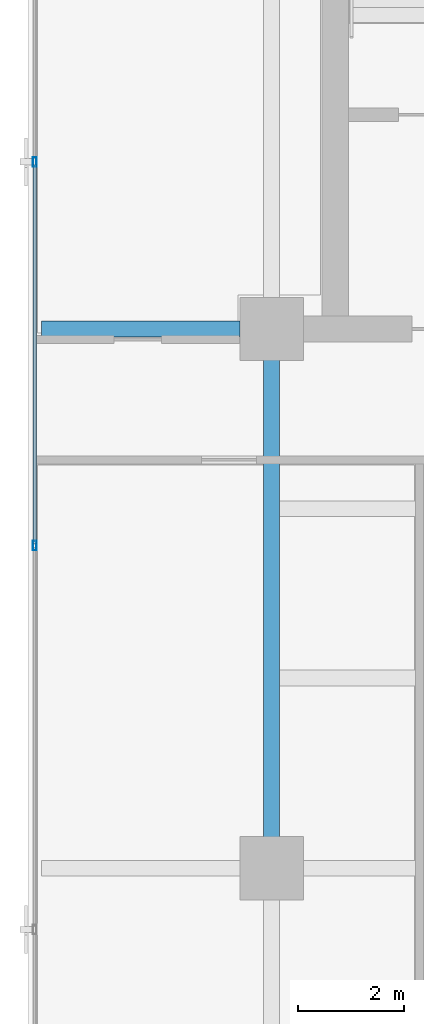
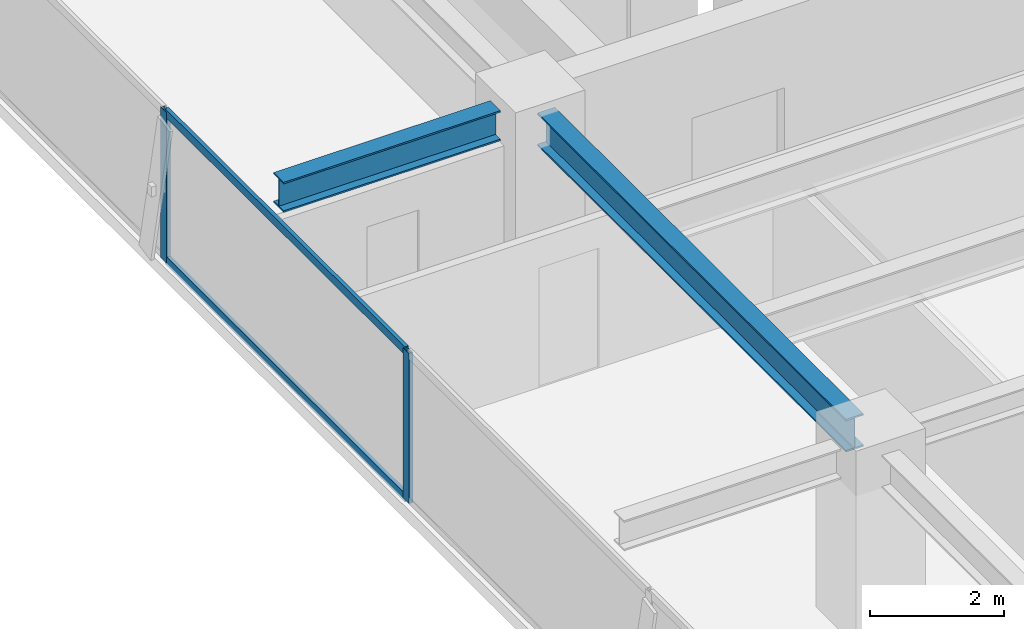
# One storey, part 6 of 22: 4 members, 2 beams, 1 element without a shape of its own.
"""IFC4 building model written with IfcOpenShell, lengths in metres."""

import ifcopenshell
import ifcopenshell.guid

model = None  # the IFC model being written
_history = None  # IfcOwnerHistory: only IFC2X3 demands one
_inside = {}  # id of a spatial element -> (the spatial element, [elements in it])
_under = {}  # id of a project, library or spatial element -> (it, [spatial elements below it])
_declared = {}  # id of a project -> (the project, [libraries it declares])
_typed = {}  # id of a type object -> (the type object, [elements of that type])
_made_of = {}  # id of a material, layer set ... -> (it, [elements and type objects made of it])


def new_model(schema):
    """Start an empty IFC model of exactly this schema.

    Asked for "IFC4X3", IfcOpenShell would pick the latest addendum, in which some entities
    have other attributes; the version numbers below select the first issue.
    IFC2X3 requires an IfcOwnerHistory on every rooted entity: one is made here for all.
    """
    global model, _history
    if schema == "IFC4X3":
        model = ifcopenshell.file(schema_version=(4, 3, 0, 0))
    else:
        model = ifcopenshell.file(schema=schema)
    _inside.clear()
    _under.clear()
    _declared.clear()
    _typed.clear()
    _made_of.clear()
    _history = None
    if model.schema == "IFC2X3":
        org = make("IfcOrganization", Name="unknown")
        user = make(
            "IfcPersonAndOrganization",
            ThePerson=make("IfcPerson", FamilyName="unknown"),
            TheOrganization=org,
        )
        app = make(
            "IfcApplication",
            ApplicationDeveloper=org,
            Version="unknown",
            ApplicationFullName="unknown",
            ApplicationIdentifier="unknown",
        )
        _history = make(
            "IfcOwnerHistory",
            OwningUser=user,
            OwningApplication=app,
            ChangeAction="ADDED",
            CreationDate=0,
        )
    return model


def make(cls, **values):
    """One entity of the class cls with the attributes given. An attribute that is None is left unset."""
    return model.create_entity(
        cls, **{name: value for name, value in values.items() if value is not None}
    )


def rooted(cls, **values):
    """An entity with a GlobalId (a new one), such as an element, a storey or a relation."""
    return make(cls, GlobalId=ifcopenshell.guid.new(), OwnerHistory=_history, **values)


def si_unit(unit_type, name, prefix=None):
    """IfcSIUnit, for example si_unit("LENGTHUNIT", "METRE", prefix="MILLI")."""
    return make("IfcSIUnit", UnitType=unit_type, Prefix=prefix, Name=name)


def assignment(units):
    """IfcUnitAssignment: the units of a project."""
    return None if units is None else make("IfcUnitAssignment", Units=units)


def point(xyz):
    """IfcCartesianPoint."""
    return None if xyz is None else make("IfcCartesianPoint", Coordinates=xyz)


def direction(xyz):
    """IfcDirection."""
    return None if xyz is None else make("IfcDirection", DirectionRatios=xyz)


def frame(location, z_axis=None, x_axis=None):
    """IfcAxis2Placement3D, a coordinate frame: its origin and axes. An axis left out is left unset."""
    return make(
        "IfcAxis2Placement3D",
        Location=point(location),
        Axis=direction(z_axis),
        RefDirection=direction(x_axis),
    )


def frame_2d(location, x_axis=None):
    """IfcAxis2Placement2D, a coordinate frame in the plane: its origin and x axis."""
    return make(
        "IfcAxis2Placement2D", Location=point(location), RefDirection=direction(x_axis)
    )


def origin():
    """The frame at (0, 0, 0) with its axes left unset."""
    return frame((0.0, 0.0, 0.0))


def origin_2d():
    """The frame at (0, 0) in the plane with its x axis left unset."""
    return frame_2d((0.0, 0.0))


def place(relative_to, where):
    """IfcLocalPlacement: puts the frame where relative to a parent placement (None: the world)."""
    return make(
        "IfcLocalPlacement", PlacementRelTo=relative_to, RelativePlacement=where
    )


def context(
    kind, dimensions, precision=None, world=None, true_north=None, identifier=None
):
    """IfcGeometricRepresentationContext, for example the 3D "Model" context."""
    return make(
        "IfcGeometricRepresentationContext",
        ContextIdentifier=identifier,
        ContextType=kind,
        CoordinateSpaceDimension=dimensions,
        Precision=precision,
        WorldCoordinateSystem=world,
        TrueNorth=true_north,
    )


def subcontext(parent, identifier, kind, view, scale=None):
    """IfcGeometricRepresentationSubContext, for example "Body" below "Model"."""
    return make(
        "IfcGeometricRepresentationSubContext",
        ContextIdentifier=identifier,
        ContextType=kind,
        ParentContext=parent,
        TargetScale=scale,
        TargetView=view,
    )


def project(units=None, contexts=None):
    """IfcProject with its units and contexts."""
    return rooted(
        "IfcProject",
        Name="project",
        RepresentationContexts=contexts,
        UnitsInContext=assignment(units),
    )


def spatial(cls, under=None, at=None, **own):
    """A site, building, storey or space (cls), placed at a placement, below another one or the project."""
    s = rooted(cls, ObjectPlacement=at, **own)
    if under is not None:
        _under.setdefault(under.id(), (under, []))[1].append(s)
    return s


def profile(cls, at=None, kind="AREA", **sizes):
    """A parametric profile (cls). Its sizes go by their IFC names, for example OverallWidth=200.0."""
    return make(cls, ProfileType=kind, Position=at, **sizes)


def hollow_rectangle(**sizes):
    """IfcRectangleHollowProfileDef."""
    return profile("IfcRectangleHollowProfileDef", **sizes)


def i_section(**sizes):
    """IfcIShapeProfileDef."""
    return profile("IfcIShapeProfileDef", **sizes)


def extrude(swept, where, along, depth):
    """IfcExtrudedAreaSolid: the profile swept, set in the frame where, extruded along a direction by depth."""
    return make(
        "IfcExtrudedAreaSolid",
        SweptArea=swept,
        Position=where,
        ExtrudedDirection=direction(along),
        Depth=depth,
    )


def shape(context_of_items, identifier, shape_type, items):
    """IfcShapeRepresentation: the items that make up one representation, for example the "Body"."""
    return make(
        "IfcShapeRepresentation",
        ContextOfItems=context_of_items,
        RepresentationIdentifier=identifier,
        RepresentationType=shape_type,
        Items=items,
    )


def source(mapping_origin, context_of_items, identifier, shape_type, items):
    """IfcRepresentationMap: a shape defined once, which mapped items show again and again."""
    return make(
        "IfcRepresentationMap",
        MappingOrigin=mapping_origin,
        MappedRepresentation=shape(context_of_items, identifier, shape_type, items),
    )


def transform(
    local_origin,
    x_axis=None,
    y_axis=None,
    z_axis=None,
    scale=None,
    scale2=None,
    scale3=None,
    uniform=True,
):
    """IfcCartesianTransformationOperator3D, or its non-uniform kind. x_axis, y_axis, z_axis: its Axis1, 2, 3."""
    if uniform:
        return make(
            "IfcCartesianTransformationOperator3D",
            Axis1=direction(x_axis),
            Axis2=direction(y_axis),
            LocalOrigin=point(local_origin),
            Scale=scale,
            Axis3=direction(z_axis),
        )
    return make(
        "IfcCartesianTransformationOperator3DnonUniform",
        Axis1=direction(x_axis),
        Axis2=direction(y_axis),
        LocalOrigin=point(local_origin),
        Scale=scale,
        Axis3=direction(z_axis),
        Scale2=scale2,
        Scale3=scale3,
    )


def mapped(mapping_source, mapping_target):
    """IfcMappedItem: shows the shape of a source again, moved by a transform."""
    return make(
        "IfcMappedItem", MappingSource=mapping_source, MappingTarget=mapping_target
    )


def material(Name=None, Category=None):
    """IfcMaterial."""
    return make("IfcMaterial", Name=Name, Category=Category)


def layer(
    of_material, thickness, ventilated=None, Name=None, Category=None, Priority=None
):
    """IfcMaterialLayer: one layer of a wall or slab, of a material (None: an air gap)."""
    return make(
        "IfcMaterialLayer",
        Material=of_material,
        LayerThickness=thickness,
        IsVentilated=ventilated,
        Name=Name,
        Category=Category,
        Priority=Priority,
    )


def layer_set(layers, Name=None):
    """IfcMaterialLayerSet."""
    return make("IfcMaterialLayerSet", MaterialLayers=layers, LayerSetName=Name)


def material_profile(
    of_material, cross_section, Name=None, Category=None, Priority=None
):
    """IfcMaterialProfile: a cross section and its material."""
    return make(
        "IfcMaterialProfile",
        Name=Name,
        Material=of_material,
        Profile=cross_section,
        Priority=Priority,
        Category=Category,
    )


def profile_set(profiles, Name=None, composite=None):
    """IfcMaterialProfileSet."""
    return make(
        "IfcMaterialProfileSet",
        Name=Name,
        MaterialProfiles=profiles,
        CompositeProfile=composite,
    )


def made_of(thing, what):
    """Note that an element or type object is made of a material, layer set ...; save() writes the relation."""
    if what is not None:
        _made_of.setdefault(what.id(), (what, []))[1].append(thing)
    return thing


def type_object(cls, material=None, **own):
    """A type object (cls), such as IfcWallType, which elements share."""
    return made_of(rooted(cls, **own), material)


def element(
    cls,
    number,
    at=None,
    inside=None,
    cuts=None,
    type_object=None,
    material=None,
    context=None,
    identifier="Body",
    shape_type=None,
    held_by="IfcProductDefinitionShape",
    body=None,
    shapes=None,
    **own,
):
    """One element of the class cls, such as IfcWall. Its Tag is "e" and its number.

    at: its placement. inside: the storey or other place that contains it. cuts: it is an
    opening in that element (IfcRelVoidsElement). A single representation is given by context,
    identifier, shape_type and body (its items); several are given by shapes. held_by: the class
    of the entity that holds the representations. save() writes the other relations.
    """
    e = rooted(cls, Tag="e%d" % number, ObjectPlacement=at, **own)
    if body is not None:
        shapes = [shape(context, identifier, shape_type, body)]
    if shapes is not None:
        e.Representation = make(held_by, Representations=shapes)
    if inside is not None:
        _inside.setdefault(inside.id(), (inside, []))[1].append(e)
    if cuts is not None:
        rooted(
            "IfcRelVoidsElement", RelatingBuildingElement=cuts, RelatedOpeningElement=e
        )
    if type_object is not None:
        _typed.setdefault(type_object.id(), (type_object, []))[1].append(e)
    return made_of(e, material)


def aggregate(whole, parts):
    """IfcRelAggregates: a whole, such as a stair, and the parts it consists of."""
    return rooted("IfcRelAggregates", RelatingObject=whole, RelatedObjects=parts)


def save(model, path):
    """Write the relations noted so far, then the file.

    IfcRelAggregates (storeys below a building ...), IfcRelContainedInSpatialStructure (elements
    in a storey), IfcRelDefinesByType, IfcRelAssociatesMaterial and IfcRelDeclares: one each for
    every whole, place, type object, material and project.
    """
    for whole, parts in _under.values():
        aggregate(whole, parts)
    for where, things in _inside.values():
        rooted(
            "IfcRelContainedInSpatialStructure",
            RelatedElements=things,
            RelatingStructure=where,
        )
    for kind, things in _typed.values():
        rooted("IfcRelDefinesByType", RelatedObjects=things, RelatingType=kind)
    for what, things in _made_of.values():
        rooted("IfcRelAssociatesMaterial", RelatedObjects=things, RelatingMaterial=what)
    for by, libraries in _declared.values():
        rooted("IfcRelDeclares", RelatingContext=by, RelatedDefinitions=libraries)
    model.write(path)


model = new_model("IFC4")

# Units and contexts
model_context = context("Model", 3, precision=1e-05, world=origin(), true_north=direction((0.0, 1.0)))
body_context = subcontext(model_context, "Body", "Model", "MODEL_VIEW")
ifc_project = project(units=[si_unit("LENGTHUNIT", "METRE"), si_unit("AREAUNIT", "SQUARE_METRE"), si_unit("VOLUMEUNIT", "CUBIC_METRE"), si_unit("PLANEANGLEUNIT", "RADIAN"), si_unit("MASSUNIT", "GRAM", prefix="KILO")], contexts=[model_context])

# Site, building, storey
site_placement = place(None, origin())
site = spatial("IfcSite", under=ifc_project, at=site_placement, CompositionType="ELEMENT")
building_placement = place(site_placement, origin())
building = spatial("IfcBuilding", under=site, at=building_placement, Name="Sumidabori Civic Tower", CompositionType="ELEMENT")
storey_placement = place(building_placement, frame((0.0, 0.0, 279.199951171875)))
storey = spatial("IfcBuildingStorey", under=building, at=storey_placement, Name="L73", CompositionType="ELEMENT", Elevation=279.199951171875)

# Beams
ifc_material_1 = material(Name="Steel SN490", Category="steel")
ifc_material_profile_1 = material_profile(ifc_material_1, i_section(OverallWidth=0.300048828125, OverallDepth=0.60009765625, WebThickness=0.015380859375, FlangeThickness=0.030029296875, at=origin_2d()), Name="HE 600 B")
ifc_profile_set_1 = profile_set([ifc_material_profile_1], Name="Steel SN490")
beam_type_1 = type_object("IfcBeamType", Name="BM-GIRD-600", PredefinedType="BEAM", material=ifc_profile_set_1)
shared_shape_1 = source(origin(), body_context, "Body", "SweptSolid", [
    extrude(i_section(OverallWidth=0.300048828125, OverallDepth=0.60009765625, WebThickness=0.015380859375, FlangeThickness=0.030029296875, at=origin_2d()), origin(), (0.0, 0.0, 1.0), 9.239990234375),
])
beam_1_placement = place(storey_placement, frame((-16.800048828125, 0.47998046875, 3.070068359375), z_axis=(0.0, 1.0, 0.0), x_axis=(-1.0, 0.0, 0.0)))
element("IfcBeam", 1, at=beam_1_placement, inside=storey, type_object=beam_type_1, Name="Primary Girder L73 GY-10", PredefinedType="BEAM", context=body_context, shape_type="MappedRepresentation", body=[
    mapped(shared_shape_1, transform((0.0, 0.0, 0.0), x_axis=(1.0, 0.0, 0.0), y_axis=(0.0, 1.0, 0.0), z_axis=(0.0, 0.0, 1.0), scale=1.0)),
])
ifc_material_profile_2 = material_profile(ifc_material_1, i_section(OverallWidth=0.300048828125, OverallDepth=0.550048828125, WebThickness=0.014892578125, FlangeThickness=0.029052734375, at=origin_2d()), Name="HE 550 B")
ifc_profile_set_2 = profile_set([ifc_material_profile_2], Name="Steel SN490")
beam_type_2 = type_object("IfcBeamType", Name="BM-Z4-EDGE", PredefinedType="SPANDREL", material=ifc_profile_set_2)
shared_shape_2 = source(origin(), body_context, "Body", "SweptSolid", [
    extrude(i_section(OverallWidth=0.300048828125, OverallDepth=0.550048828125, WebThickness=0.014892578125, FlangeThickness=0.029052734375, at=origin_2d()), origin(), (0.0, 0.0, 1.0), 3.75),
])
beam_2_placement = place(storey_placement, frame((-21.14990234375, 10.199951171875, 3.094970703125), z_axis=(1.0, 0.0, 0.0), x_axis=(0.0, 1.0, 0.0)))
element("IfcBeam", 2, at=beam_2_placement, inside=storey, type_object=beam_type_2, Name="Perimeter Overhang Beam L73 W-21", PredefinedType="SPANDREL", context=body_context, shape_type="MappedRepresentation", body=[
    mapped(shared_shape_2, transform((0.0, 0.0, 0.0), x_axis=(1.0, 0.0, 0.0), y_axis=(0.0, 1.0, 0.0), z_axis=(0.0, 0.0, 1.0), scale=1.0)),
])

# Curtain wall, members
ifc_material_2 = material(Name="Anodised Bronze Aluminium AW-6063-T6", Category="aluminium")
ifc_layer = layer(ifc_material_2, 0.179931640625, Name="Anodised Bronze Aluminium AW-6063-T6")
ifc_layer_set = layer_set([ifc_layer], Name="Anodised Bronze Aluminium AW-6063-T6")
curtain_wall_type = type_object("IfcCurtainWallType", Name="CW-SYS-6", PredefinedType="NOTDEFINED", material=ifc_layer_set)
curtain_wall_placement = place(storey_placement, origin())
curtain_wall = element("IfcCurtainWall", 3, at=curtain_wall_placement, inside=storey, type_object=curtain_wall_type, Name="Curtain Wall CW:L73:R10", PredefinedType="NOTDEFINED")
ifc_material_profile_3 = material_profile(ifc_material_2, hollow_rectangle(XDim=0.070068359375, YDim=0.179931640625, WallThickness=0.006103515625, at=origin_2d()), Name="ALU MULLION 180x70")
ifc_profile_set_3 = profile_set([ifc_material_profile_3], Name="Anodised Bronze Aluminium AW-6063-T6")
member_type_1 = type_object("IfcMemberType", Name="CW-MUL-180", PredefinedType="MULLION", material=ifc_profile_set_3)
shared_shape_3 = source(origin(), body_context, "Body", "SweptSolid", [
    extrude(hollow_rectangle(XDim=0.070068359375, YDim=0.179931640625, WallThickness=0.006103515625, at=origin_2d()), origin(), (0.0, 0.0, 1.0), 2.75),
])
member_1_placement = place(storey_placement, frame((-21.280029296875, 13.360107421875, 0.0), z_axis=(0.0, 0.0, 1.0), x_axis=(1.0, 0.0, 0.0)))
member_1 = element("IfcMember", 4, at=member_1_placement, type_object=member_type_1, Name="CW-6 mullion 2", PredefinedType="MULLION", context=body_context, shape_type="MappedRepresentation", body=[
    mapped(shared_shape_3, transform((0.0, 0.0, 0.0), x_axis=(1.0, 0.0, 0.0), y_axis=(0.0, 1.0, 0.0), z_axis=(0.0, 0.0, 1.0), scale=1.0)),
])
member_2_placement = place(storey_placement, frame((-21.280029296875, 6.10009765625, 0.0), z_axis=(0.0, 0.0, 1.0), x_axis=(1.0, 0.0, 0.0)))
member_2 = element("IfcMember", 5, at=member_2_placement, type_object=member_type_1, Name="CW-6 mullion 3", PredefinedType="MULLION", context=body_context, shape_type="MappedRepresentation", body=[
    mapped(shared_shape_3, transform((0.0, 0.0, 0.0), x_axis=(1.0, 0.0, 0.0), y_axis=(0.0, 1.0, 0.0), z_axis=(0.0, 0.0, 1.0), scale=1.0)),
])
ifc_material_profile_4 = material_profile(ifc_material_2, hollow_rectangle(XDim=0.06494140625, YDim=0.14990234375, WallThickness=0.0048828125, at=origin_2d()), Name="ALU TRANSOM 150x65")
ifc_profile_set_4 = profile_set([ifc_material_profile_4], Name="Anodised Bronze Aluminium AW-6063-T6")
member_type_2 = type_object("IfcMemberType", Name="CW-TRN-150", PredefinedType="USERDEFINED", material=ifc_profile_set_4)
shared_shape_4 = source(origin(), body_context, "Body", "SweptSolid", [
    extrude(hollow_rectangle(XDim=0.06494140625, YDim=0.14990234375, WallThickness=0.0048828125, at=origin_2d()), origin(), (0.0, 0.0, 1.0), 7.18994140625),
])
member_3_placement = place(storey_placement, frame((-21.280029296875, 13.324951171875, 0.032470703125), z_axis=(0.0, -1.0, 0.0), x_axis=(1.0, 0.0, 0.0)))
member_3 = element("IfcMember", 6, at=member_3_placement, type_object=member_type_2, Name="CW-6 transom 2.1", ObjectType="TRANSOM", PredefinedType="USERDEFINED", context=body_context, shape_type="MappedRepresentation", body=[
    mapped(shared_shape_4, transform((0.0, 0.0, 0.0), x_axis=(1.0, 0.0, 0.0), y_axis=(0.0, 1.0, 0.0), z_axis=(0.0, 0.0, 1.0), scale=1.0)),
])
member_4_placement = place(storey_placement, frame((-21.280029296875, 13.324951171875, 2.717529296875), z_axis=(0.0, -1.0, 0.0), x_axis=(1.0, 0.0, 0.0)))
member_4 = element("IfcMember", 7, at=member_4_placement, type_object=member_type_2, Name="CW-6 transom 2.2", ObjectType="TRANSOM", PredefinedType="USERDEFINED", context=body_context, shape_type="MappedRepresentation", body=[
    mapped(shared_shape_4, transform((0.0, 0.0, 0.0), x_axis=(1.0, 0.0, 0.0), y_axis=(0.0, 1.0, 0.0), z_axis=(0.0, 0.0, 1.0), scale=1.0)),
])
aggregate(curtain_wall, [member_1, member_2, member_3, member_4])

save(model, "model.ifc")
